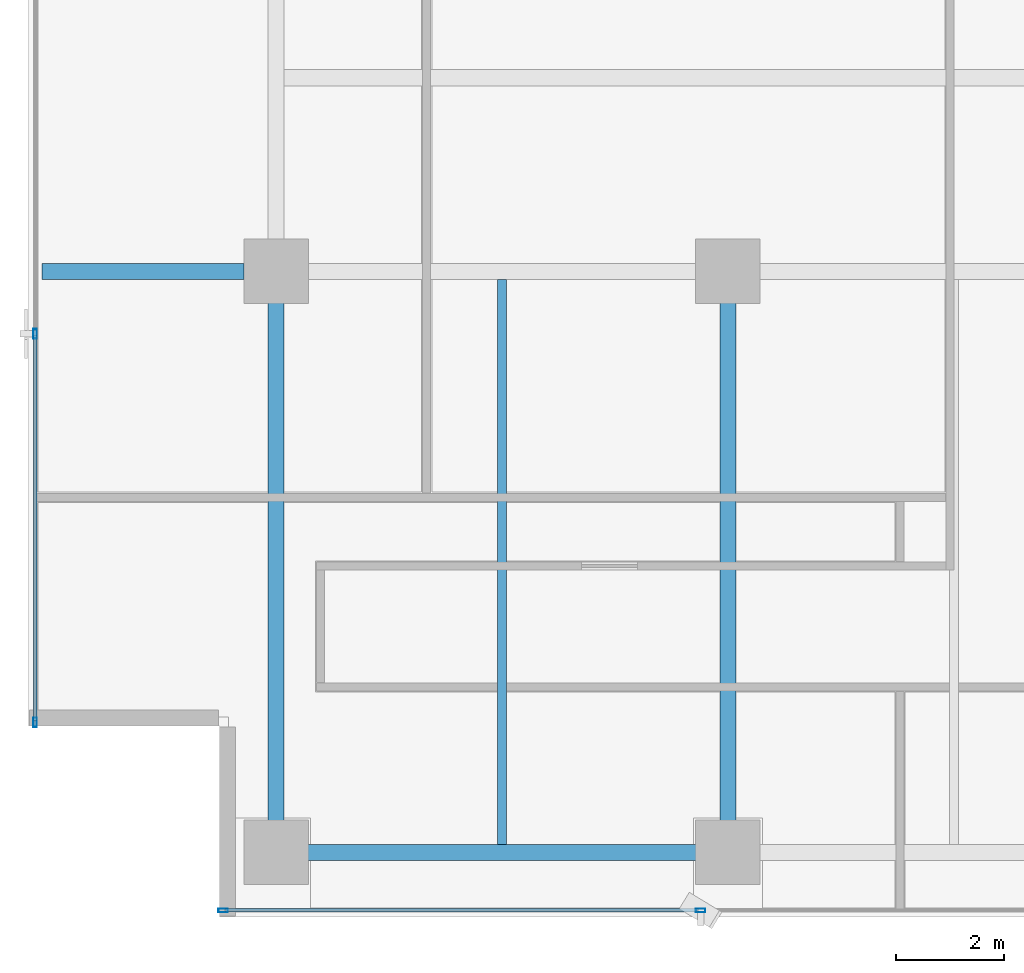
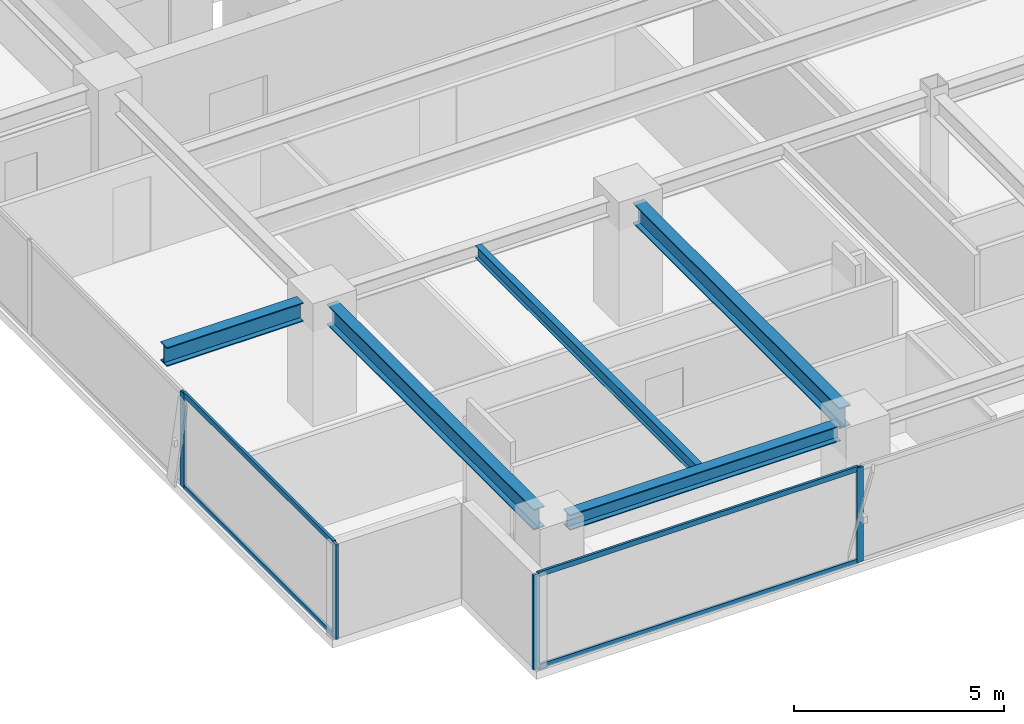
# One storey, part 2 of 22: 8 members, 5 beams, 2 elements without a shape of their own.
"""IFC4 building model written with IfcOpenShell, lengths in metres."""

from ifc_helpers import new_model, si_unit, direction, frame, origin, origin_2d, place, context, subcontext, project, spatial, hollow_rectangle, i_section, extrude, source, transform, mapped, material, layer, layer_set, material_profile, profile_set, type_object, element, aggregate, save


model = new_model("IFC4")

# Units and contexts
model_context = context("Model", 3, precision=1e-05, world=origin(), true_north=direction((0.0, 1.0)))
body_context = subcontext(model_context, "Body", "Model", "MODEL_VIEW")
ifc_project = project(units=[si_unit("LENGTHUNIT", "METRE"), si_unit("AREAUNIT", "SQUARE_METRE"), si_unit("VOLUMEUNIT", "CUBIC_METRE"), si_unit("PLANEANGLEUNIT", "RADIAN"), si_unit("MASSUNIT", "GRAM", prefix="KILO")], contexts=[model_context])

# Site, building, storey
site_placement = place(None, origin())
site = spatial("IfcSite", under=ifc_project, at=site_placement, CompositionType="ELEMENT")
building_placement = place(site_placement, origin())
building = spatial("IfcBuilding", under=site, at=building_placement, Name="Sumidabori Civic Tower", CompositionType="ELEMENT")
storey_placement = place(building_placement, frame((0.0, 0.0, 279.199951171875)))
storey = spatial("IfcBuildingStorey", under=building, at=storey_placement, Name="L73", CompositionType="ELEMENT", Elevation=279.199951171875)

# Beams
ifc_material_1 = material(Name="Steel SN490", Category="steel")
ifc_material_profile_1 = material_profile(ifc_material_1, i_section(OverallWidth=0.300048828125, OverallDepth=0.60009765625, WebThickness=0.015380859375, FlangeThickness=0.030029296875, at=origin_2d()), Name="HE 600 B")
ifc_profile_set_1 = profile_set([ifc_material_profile_1], Name="Steel SN490")
beam_type_1 = type_object("IfcBeamType", Name="BM-GIRD-600", PredefinedType="BEAM", material=ifc_profile_set_1)
shared_shape_1 = source(origin(), body_context, "Body", "SweptSolid", [
    extrude(i_section(OverallWidth=0.300048828125, OverallDepth=0.60009765625, WebThickness=0.015380859375, FlangeThickness=0.030029296875, at=origin_2d()), origin(), (0.0, 0.0, 1.0), 9.840087890625),
])
for number, where, z_axis, x_axis, name in (
    (1, (-16.800048828125, -10.320068359375, 3.070068359375), (0.0, 1.0, 0.0), (-1.0, 0.0, 0.0), "Primary Girder L73 GY-09"),
    (2, (-8.39990234375, -10.320068359375, 3.070068359375), (0.0, 1.0, 0.0), (-1.0, 0.0, 0.0), "Primary Girder L73 GY-12"),
):
    element("IfcBeam", number, at=place(storey_placement, frame(where, z_axis=z_axis, x_axis=x_axis)), inside=storey, type_object=beam_type_1, Name=name, PredefinedType="BEAM", context=body_context, shape_type="MappedRepresentation", body=[
        mapped(shared_shape_1, transform((0.0, 0.0, 0.0), x_axis=(1.0, 0.0, 0.0), y_axis=(0.0, 1.0, 0.0), z_axis=(0.0, 0.0, 1.0), scale=1.0)),
    ])
ifc_material_profile_2 = material_profile(ifc_material_1, i_section(OverallWidth=0.300048828125, OverallDepth=0.449951171875, WebThickness=0.013916015625, FlangeThickness=0.02587890625, at=origin_2d()), Name="HE 450 B")
ifc_profile_set_2 = profile_set([ifc_material_profile_2], Name="Steel SN490")
beam_type_2 = type_object("IfcBeamType", Name="BM-GIRD-450", PredefinedType="BEAM", material=ifc_profile_set_2)
shared_shape_2 = source(origin(), body_context, "Body", "SweptSolid", [
    extrude(i_section(OverallWidth=0.300048828125, OverallDepth=0.449951171875, WebThickness=0.013916015625, FlangeThickness=0.02587890625, at=origin_2d()), origin(), (0.0, 0.0, 1.0), 7.440185546875),
])
beam_1_placement = place(storey_placement, frame((-16.320068359375, -10.800048828125, 3.14501953125), z_axis=(1.0, 0.0, 0.0), x_axis=(0.0, 1.0, 0.0)))
element("IfcBeam", 3, at=beam_1_placement, inside=storey, type_object=beam_type_2, Name="Primary Girder L73 GX-01", PredefinedType="BEAM", context=body_context, shape_type="MappedRepresentation", body=[
    mapped(shared_shape_2, transform((0.0, 0.0, 0.0), x_axis=(1.0, 0.0, 0.0), y_axis=(0.0, 1.0, 0.0), z_axis=(0.0, 0.0, 1.0), scale=1.0)),
])
ifc_material_profile_3 = material_profile(ifc_material_1, i_section(OverallWidth=0.169921875, OverallDepth=0.360107421875, WebThickness=0.008056640625, FlangeThickness=0.0126953125, at=origin_2d()), Name="IPE 360")
ifc_profile_set_3 = profile_set([ifc_material_profile_3], Name="Steel SN490")
beam_type_3 = type_object("IfcBeamType", Name="BM-JST-360", PredefinedType="JOIST", material=ifc_profile_set_3)
shared_shape_3 = source(origin(), body_context, "Body", "SweptSolid", [
    extrude(i_section(OverallWidth=0.169921875, OverallDepth=0.360107421875, WebThickness=0.008056640625, FlangeThickness=0.0126953125, at=origin_2d()), origin(), (0.0, 0.0, 1.0), 10.5),
])
beam_2_placement = place(storey_placement, frame((-12.60009765625, -10.64990234375, 3.18994140625), z_axis=(0.0, 1.0, 0.0), x_axis=(-1.0, 0.0, 0.0)))
element("IfcBeam", 4, at=beam_2_placement, inside=storey, type_object=beam_type_3, Name="Upper Lens N-S Floor Joist L73 JSTV-24", PredefinedType="JOIST", context=body_context, shape_type="MappedRepresentation", body=[
    mapped(shared_shape_3, transform((0.0, 0.0, 0.0), x_axis=(1.0, 0.0, 0.0), y_axis=(0.0, 1.0, 0.0), z_axis=(0.0, 0.0, 1.0), scale=1.0)),
])
ifc_material_profile_4 = material_profile(ifc_material_1, i_section(OverallWidth=0.300048828125, OverallDepth=0.550048828125, WebThickness=0.014892578125, FlangeThickness=0.029052734375, at=origin_2d()), Name="HE 550 B")
ifc_profile_set_4 = profile_set([ifc_material_profile_4], Name="Steel SN490")
beam_type_4 = type_object("IfcBeamType", Name="BM-Z4-EDGE", PredefinedType="SPANDREL", material=ifc_profile_set_4)
shared_shape_4 = source(origin(), body_context, "Body", "SweptSolid", [
    extrude(i_section(OverallWidth=0.300048828125, OverallDepth=0.550048828125, WebThickness=0.014892578125, FlangeThickness=0.029052734375, at=origin_2d()), origin(), (0.0, 0.0, 1.0), 3.75),
])
beam_3_placement = place(storey_placement, frame((-21.14990234375, 0.0, 3.094970703125), z_axis=(1.0, 0.0, 0.0), x_axis=(0.0, 1.0, 0.0)))
element("IfcBeam", 5, at=beam_3_placement, inside=storey, type_object=beam_type_4, Name="Perimeter Overhang Beam L73 W-19", PredefinedType="SPANDREL", context=body_context, shape_type="MappedRepresentation", body=[
    mapped(shared_shape_4, transform((0.0, 0.0, 0.0), x_axis=(1.0, 0.0, 0.0), y_axis=(0.0, 1.0, 0.0), z_axis=(0.0, 0.0, 1.0), scale=1.0)),
])

# Curtain wall, members
ifc_material_2 = material(Name="Anodised Bronze Aluminium AW-6063-T6", Category="aluminium")
ifc_layer = layer(ifc_material_2, 0.179931640625, Name="Anodised Bronze Aluminium AW-6063-T6")
ifc_layer_set = layer_set([ifc_layer], Name="Anodised Bronze Aluminium AW-6063-T6")
curtain_wall_type = type_object("IfcCurtainWallType", Name="CW-SYS-6", PredefinedType="NOTDEFINED", material=ifc_layer_set)
curtain_wall_1_placement = place(storey_placement, origin())
curtain_wall_1 = element("IfcCurtainWall", 6, at=curtain_wall_1_placement, inside=storey, type_object=curtain_wall_type, Name="Curtain Wall CW:L73:R01", PredefinedType="NOTDEFINED")
ifc_material_profile_5 = material_profile(ifc_material_2, hollow_rectangle(XDim=0.070068359375, YDim=0.179931640625, WallThickness=0.006103515625, at=origin_2d()), Name="ALU MULLION 180x70")
ifc_profile_set_5 = profile_set([ifc_material_profile_5], Name="Anodised Bronze Aluminium AW-6063-T6")
member_type_1 = type_object("IfcMemberType", Name="CW-MUL-180", PredefinedType="MULLION", material=ifc_profile_set_5)
shared_shape_5 = source(origin(), body_context, "Body", "SweptSolid", [
    extrude(hollow_rectangle(XDim=0.070068359375, YDim=0.179931640625, WallThickness=0.006103515625, at=origin_2d()), origin(), (0.0, 0.0, 1.0), 2.75),
])
member_1_placement = place(storey_placement, frame((-17.784912109375, -11.8798828125, 0.0), z_axis=(0.0, 0.0, 1.0), x_axis=(0.0, 1.0, 0.0)))
member_1 = element("IfcMember", 7, at=member_1_placement, type_object=member_type_1, Name="CW-6 mullion 1", PredefinedType="MULLION", context=body_context, shape_type="MappedRepresentation", body=[
    mapped(shared_shape_5, transform((0.0, 0.0, 0.0), x_axis=(1.0, 0.0, 0.0), y_axis=(0.0, 1.0, 0.0), z_axis=(0.0, 0.0, 1.0), scale=1.0)),
])
member_2_placement = place(storey_placement, frame((-8.909912109375, -11.8798828125, 0.0), z_axis=(0.0, 0.0, 1.0), x_axis=(0.0, 1.0, 0.0)))
member_2 = element("IfcMember", 8, at=member_2_placement, type_object=member_type_1, Name="CW-6 mullion 2", PredefinedType="MULLION", context=body_context, shape_type="MappedRepresentation", body=[
    mapped(shared_shape_5, transform((0.0, 0.0, 0.0), x_axis=(1.0, 0.0, 0.0), y_axis=(0.0, 1.0, 0.0), z_axis=(0.0, 0.0, 1.0), scale=1.0)),
])

curtain_wall_2_placement = place(storey_placement, origin())
curtain_wall_2 = element("IfcCurtainWall", 9, at=curtain_wall_2_placement, inside=storey, type_object=curtain_wall_type, Name="Curtain Wall CW:L73:R10", PredefinedType="NOTDEFINED")
member_3_placement = place(storey_placement, frame((-21.280029296875, -1.159912109375, 0.0), z_axis=(0.0, 0.0, 1.0), x_axis=(1.0, 0.0, 0.0)))
member_3 = element("IfcMember", 10, at=member_3_placement, type_object=member_type_1, Name="CW-6 mullion 4", PredefinedType="MULLION", context=body_context, shape_type="MappedRepresentation", body=[
    mapped(shared_shape_5, transform((0.0, 0.0, 0.0), x_axis=(1.0, 0.0, 0.0), y_axis=(0.0, 1.0, 0.0), z_axis=(0.0, 0.0, 1.0), scale=1.0)),
])
member_4_placement = place(storey_placement, frame((-21.280029296875, -8.385009765625, 0.0), z_axis=(0.0, 0.0, 1.0), x_axis=(1.0, 0.0, 0.0)))
member_4 = element("IfcMember", 11, at=member_4_placement, type_object=member_type_1, Name="CW-6 mullion 5", PredefinedType="MULLION", context=body_context, shape_type="MappedRepresentation", body=[
    mapped(shared_shape_5, transform((0.0, 0.0, 0.0), x_axis=(1.0, 0.0, 0.0), y_axis=(0.0, 1.0, 0.0), z_axis=(0.0, 0.0, 1.0), scale=1.0)),
])

# Member
ifc_material_profile_6 = material_profile(ifc_material_2, hollow_rectangle(XDim=0.06494140625, YDim=0.14990234375, WallThickness=0.0048828125, at=origin_2d()), Name="ALU TRANSOM 150x65")
ifc_profile_set_6 = profile_set([ifc_material_profile_6], Name="Anodised Bronze Aluminium AW-6063-T6")
member_type_2 = type_object("IfcMemberType", Name="CW-TRN-150", PredefinedType="USERDEFINED", material=ifc_profile_set_6)
shared_shape_6 = source(origin(), body_context, "Body", "SweptSolid", [
    extrude(hollow_rectangle(XDim=0.06494140625, YDim=0.14990234375, WallThickness=0.0048828125, at=origin_2d()), origin(), (0.0, 0.0, 1.0), 8.804931640625),
])
member_5_placement = place(storey_placement, frame((-17.75, -11.8798828125, 0.032470703125), z_axis=(1.0, 0.0, 0.0), x_axis=(0.0, 1.0, 0.0)))
member_5 = element("IfcMember", 12, at=member_5_placement, type_object=member_type_2, Name="CW-6 transom 1.1", ObjectType="TRANSOM", PredefinedType="USERDEFINED", context=body_context, shape_type="MappedRepresentation", body=[
    mapped(shared_shape_6, transform((0.0, 0.0, 0.0), x_axis=(1.0, 0.0, 0.0), y_axis=(0.0, 1.0, 0.0), z_axis=(0.0, 0.0, 1.0), scale=1.0)),
])

member_6_placement = place(storey_placement, frame((-17.75, -11.8798828125, 2.717529296875), z_axis=(1.0, 0.0, 0.0), x_axis=(0.0, 1.0, 0.0)))
member_6 = element("IfcMember", 13, at=member_6_placement, type_object=member_type_2, Name="CW-6 transom 1.2", ObjectType="TRANSOM", PredefinedType="USERDEFINED", context=body_context, shape_type="MappedRepresentation", body=[
    mapped(shared_shape_6, transform((0.0, 0.0, 0.0), x_axis=(1.0, 0.0, 0.0), y_axis=(0.0, 1.0, 0.0), z_axis=(0.0, 0.0, 1.0), scale=1.0)),
])

aggregate(curtain_wall_1, [member_1, member_2, member_5, member_6])

shared_shape_7 = source(origin(), body_context, "Body", "SweptSolid", [
    extrude(hollow_rectangle(XDim=0.06494140625, YDim=0.14990234375, WallThickness=0.0048828125, at=origin_2d()), origin(), (0.0, 0.0, 1.0), 7.155029296875),
])
member_7_placement = place(storey_placement, frame((-21.280029296875, -1.195068359375, 0.032470703125), z_axis=(0.0, -1.0, 0.0), x_axis=(1.0, 0.0, 0.0)))
member_7 = element("IfcMember", 14, at=member_7_placement, type_object=member_type_2, Name="CW-6 transom 4.1", ObjectType="TRANSOM", PredefinedType="USERDEFINED", context=body_context, shape_type="MappedRepresentation", body=[
    mapped(shared_shape_7, transform((0.0, 0.0, 0.0), x_axis=(1.0, 0.0, 0.0), y_axis=(0.0, 1.0, 0.0), z_axis=(0.0, 0.0, 1.0), scale=1.0)),
])

member_8_placement = place(storey_placement, frame((-21.280029296875, -1.195068359375, 2.717529296875), z_axis=(0.0, -1.0, 0.0), x_axis=(1.0, 0.0, 0.0)))
member_8 = element("IfcMember", 15, at=member_8_placement, type_object=member_type_2, Name="CW-6 transom 4.2", ObjectType="TRANSOM", PredefinedType="USERDEFINED", context=body_context, shape_type="MappedRepresentation", body=[
    mapped(shared_shape_7, transform((0.0, 0.0, 0.0), x_axis=(1.0, 0.0, 0.0), y_axis=(0.0, 1.0, 0.0), z_axis=(0.0, 0.0, 1.0), scale=1.0)),
])

aggregate(curtain_wall_2, [member_3, member_4, member_7, member_8])

save(model, "model.ifc")
